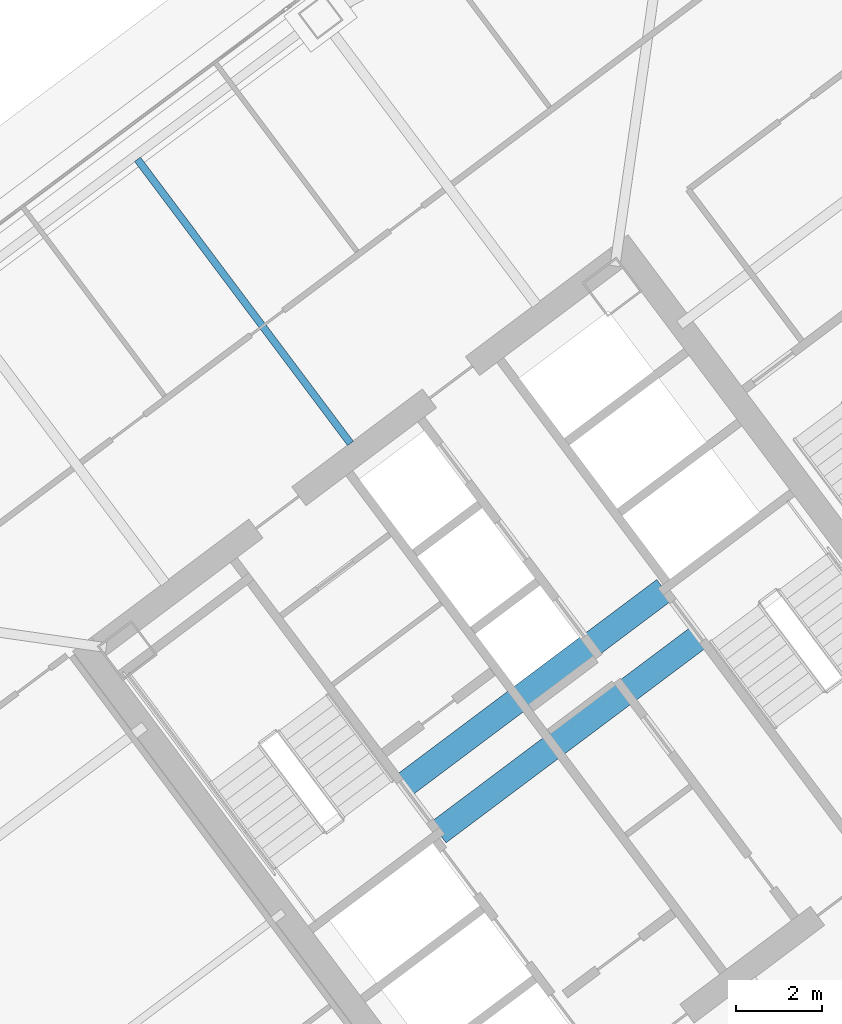
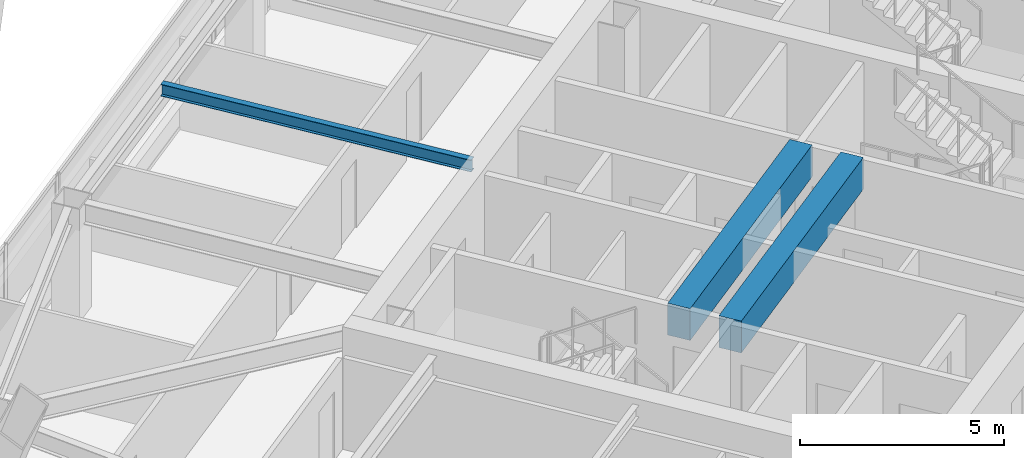
# One storey, part 38 of 65: 3 beams.
"""IFC4 building model written with IfcOpenShell, lengths in metres."""

from ifc_helpers import new_model, si_unit, direction, frame, origin, origin_2d, place, context, subcontext, project, spatial, rectangle, i_section, extrude, material, material_profile, profile_set, type_object, element, save


model = new_model("IFC4")

# Units and contexts
model_context = context("Model", 3, precision=1e-05, world=origin(), true_north=direction((0.0, 1.0)))
body_context = subcontext(model_context, "Body", "Model", "MODEL_VIEW")
ifc_project = project(units=[si_unit("LENGTHUNIT", "METRE"), si_unit("AREAUNIT", "SQUARE_METRE"), si_unit("VOLUMEUNIT", "CUBIC_METRE"), si_unit("PLANEANGLEUNIT", "RADIAN"), si_unit("MASSUNIT", "GRAM", prefix="KILO")], contexts=[model_context])

# Site, building, storey
site_placement = place(None, origin())
site = spatial("IfcSite", under=ifc_project, at=site_placement, CompositionType="ELEMENT")
building_placement = place(site_placement, origin())
building = spatial("IfcBuilding", under=site, at=building_placement, Name="Tashvorn Skyway Center", CompositionType="ELEMENT")
storey_placement = place(building_placement, frame((0.0, 0.0, 157.0)))
storey = spatial("IfcBuildingStorey", under=building, at=storey_placement, Name="L42", CompositionType="ELEMENT", Elevation=157.0)

# Beams
ifc_material_1 = material(Name="Steel ASTM A992 Grade 50", Category="steel")
ifc_material_profile_1 = material_profile(ifc_material_1, i_section(OverallWidth=0.1708984375, OverallDepth=0.35498046875, WebThickness=0.007080078125, FlangeThickness=0.01171875, at=origin_2d()), Name="W14X34")
ifc_profile_set_1 = profile_set([ifc_material_profile_1], Name="Steel ASTM A992 Grade 50")
beam_type_1 = type_object("IfcBeamType", Name="BM-JOIST-W14X34", PredefinedType="JOIST", material=ifc_profile_set_1)
beam_placement = place(storey_placement, frame((109.325927734375, 38.23193359375, 3.1923828125), z_axis=(-0.59999527236, 0.800003545708, 0.0), x_axis=(-0.800003545708, -0.59999527236, 0.0)))
element("IfcBeam", 1, at=beam_placement, inside=storey, type_object=beam_type_1, Name="Tower 2 L42 Secondary Composite Joist JN", PredefinedType="JOIST", context=body_context, shape_type="SweptSolid", body=[
    extrude(i_section(OverallWidth=0.1708984375, OverallDepth=0.35498046875, WebThickness=0.007080078125, FlangeThickness=0.01171875, at=origin_2d()), origin(), (0.0, 0.0, 1.0), 8.2626953125),
])
ifc_material_2 = material(Name="Concrete C60/75", Category="concrete")
ifc_material_profile_2 = material_profile(ifc_material_2, rectangle(XDim=0.60009765625, YDim=0.949951171875, at=origin_2d()), Name="RCB600x950")
ifc_profile_set_2 = profile_set([ifc_material_profile_2], Name="Concrete C60/75")
beam_type_2 = type_object("IfcBeamType", Name="BM-LINTEL-RCB600x950", PredefinedType="LINTEL", material=ifc_profile_set_2)
for number, where, z_axis, x_axis, name in (
    (2, (110.552001953125, 30.263916015625, 2.89501953125), (0.8, 0.6, 0.0), (-0.6, 0.8, 0.0), "Tower 2 L42 Core Coupling Beam CN"),
    (3, (111.367919921875, 29.176025390625, 2.89501953125), (0.8, 0.6, 0.0), (-0.6, 0.8, 0.0), "Tower 2 L42 Core Coupling Beam CS"),
):
    element("IfcBeam", number, at=place(storey_placement, frame(where, z_axis=z_axis, x_axis=x_axis)), inside=storey, type_object=beam_type_2, Name=name, PredefinedType="LINTEL", context=body_context, shape_type="SweptSolid", body=[
        extrude(rectangle(XDim=0.60009765625, YDim=0.949951171875, at=origin_2d()), origin(), (0.0, 0.0, 1.0), 7.60009765625),
    ])

save(model, "model.ifc")
